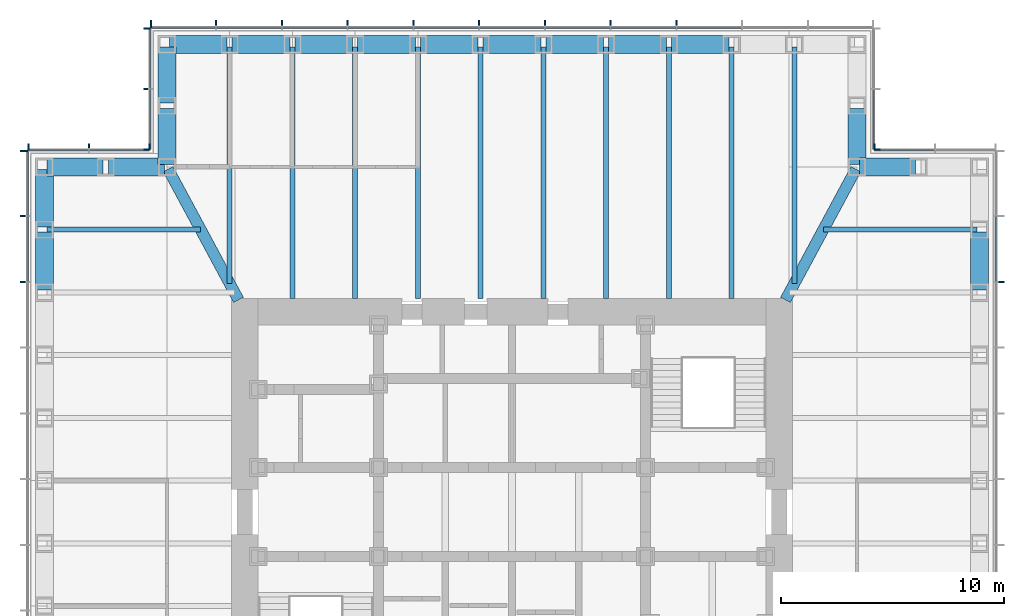
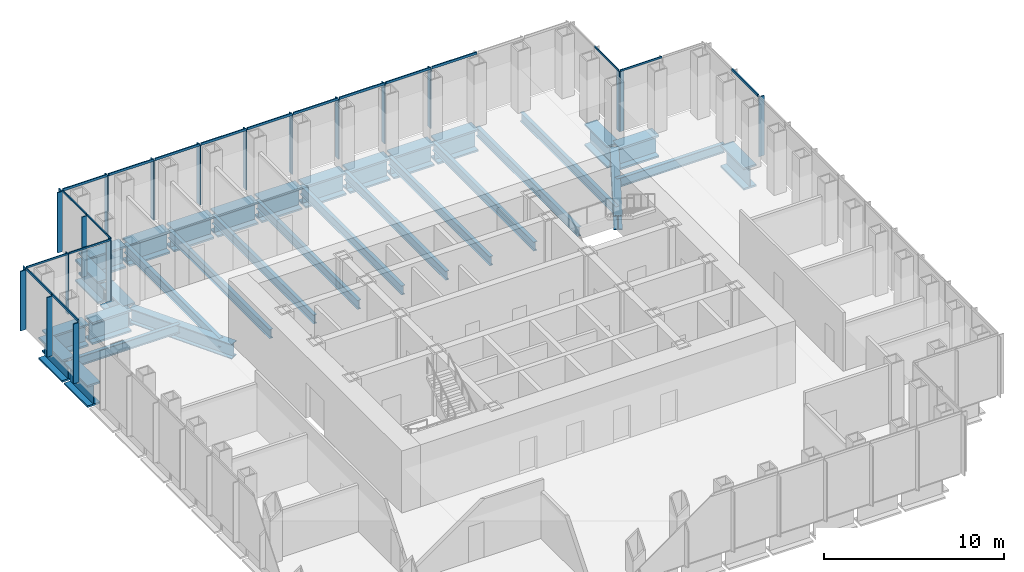
# One storey, part 5 of 16: 39 members, 32 beams, 7 elements without a shape of their own.
"""IFC4 building model written with IfcOpenShell, lengths in metres."""

from ifc_helpers import new_model, si_unit, direction, frame, origin, origin_2d, place, context, subcontext, project, spatial, rectangle, i_section, extrude, material, material_profile, profile_set, type_object, element, aggregate, save


model = new_model("IFC4")

# Units and contexts
model_context = context("Model", 3, precision=1e-05, world=origin(), true_north=direction((0.0, 1.0)))
body_context = subcontext(model_context, "Body", "Model", "MODEL_VIEW")
ifc_project = project(units=[si_unit("LENGTHUNIT", "METRE"), si_unit("AREAUNIT", "SQUARE_METRE"), si_unit("VOLUMEUNIT", "CUBIC_METRE"), si_unit("PLANEANGLEUNIT", "RADIAN"), si_unit("MASSUNIT", "GRAM", prefix="KILO")], contexts=[model_context])

# Site, building, storey
site_placement = place(None, origin())
site = spatial("IfcSite", under=ifc_project, at=site_placement, CompositionType="ELEMENT")
building_placement = place(site_placement, origin())
building = spatial("IfcBuilding", under=site, at=building_placement, Name="Daluyong Arena Tower", CompositionType="ELEMENT")
storey_placement = place(building_placement, frame((0.0, 0.0, 240.10009765625)))
storey = spatial("IfcBuildingStorey", under=building, at=storey_placement, Name="L54", CompositionType="ELEMENT", Elevation=240.10009765625)

# Curtain wall, member
ifc_material_1 = material(Name="Bronze anodised aluminium and glass", Category="aluminium")
curtain_wall_type_1 = type_object("IfcCurtainWallType", Name="Curtain wall CW3", PredefinedType="USERDEFINED", material=ifc_material_1)
curtain_wall_1_placement = place(storey_placement, origin())
curtain_wall_1 = element("IfcCurtainWall", 1, at=curtain_wall_1_placement, inside=storey, type_object=curtain_wall_type_1, Name="curtain wall L54 E", ObjectType="UNITISED CURTAIN WALL", PredefinedType="USERDEFINED")
ifc_material_2 = material(Name="Bronze anodised aluminium fin", Category="aluminium")
ifc_material_profile_1 = material_profile(ifc_material_2, rectangle(XDim=0.35009765625, YDim=0.070068359375, at=origin_2d()))
ifc_profile_set_1 = profile_set([ifc_material_profile_1], Name="Bronze anodised aluminium fin")
member_type_1 = type_object("IfcMemberType", Name="CW3 bronze fin 350x70", PredefinedType="MULLION", material=ifc_profile_set_1)
member_1_placement = place(storey_placement, frame((77.925048828125, 90.3408203125, 0.0), z_axis=(0.0, 0.0, 1.0), x_axis=(-1.0, 0.0, 0.0)))
member_1 = element("IfcMember", 2, at=member_1_placement, type_object=member_type_1, Name="curtain wall L54 E fin 10", PredefinedType="MULLION", context=body_context, shape_type="SweptSolid", body=[
    extrude(rectangle(XDim=0.35009765625, YDim=0.070068359375, at=origin_2d()), origin(), (0.0, 0.0, 1.0), 4.039794921875),
])

# Curtain wall, members
curtain_wall_2_placement = place(storey_placement, origin())
curtain_wall_2 = element("IfcCurtainWall", 3, at=curtain_wall_2_placement, inside=storey, type_object=curtain_wall_type_1, Name="curtain wall L54 N", ObjectType="UNITISED CURTAIN WALL", PredefinedType="USERDEFINED")
member_2_placement = place(storey_placement, frame((63.386474609375, 101.925048828125, 0.0), z_axis=(0.0, 0.0, 1.0), x_axis=(0.0, -1.0, 0.0)))
member_2 = element("IfcMember", 4, at=member_2_placement, type_object=member_type_1, Name="curtain wall L54 N fin 4", PredefinedType="MULLION", context=body_context, shape_type="SweptSolid", body=[
    extrude(rectangle(XDim=0.35009765625, YDim=0.070068359375, at=origin_2d()), origin(), (0.0, 0.0, 1.0), 4.039794921875),
])
member_3_placement = place(storey_placement, frame((60.431884765625, 101.925048828125, 0.0), z_axis=(0.0, 0.0, 1.0), x_axis=(0.0, -1.0, 0.0)))
member_3 = element("IfcMember", 5, at=member_3_placement, type_object=member_type_1, Name="curtain wall L54 N fin 5", PredefinedType="MULLION", context=body_context, shape_type="SweptSolid", body=[
    extrude(rectangle(XDim=0.35009765625, YDim=0.070068359375, at=origin_2d()), origin(), (0.0, 0.0, 1.0), 4.039794921875),
])
member_4_placement = place(storey_placement, frame((57.477294921875, 101.925048828125, 0.0), z_axis=(0.0, 0.0, 1.0), x_axis=(0.0, -1.0, 0.0)))
member_4 = element("IfcMember", 6, at=member_4_placement, type_object=member_type_1, Name="curtain wall L54 N fin 6", PredefinedType="MULLION", context=body_context, shape_type="SweptSolid", body=[
    extrude(rectangle(XDim=0.35009765625, YDim=0.070068359375, at=origin_2d()), origin(), (0.0, 0.0, 1.0), 4.039794921875),
])
member_5_placement = place(storey_placement, frame((54.522705078125, 101.925048828125, 0.0), z_axis=(0.0, 0.0, 1.0), x_axis=(0.0, -1.0, 0.0)))
member_5 = element("IfcMember", 7, at=member_5_placement, type_object=member_type_1, Name="curtain wall L54 N fin 7", PredefinedType="MULLION", context=body_context, shape_type="SweptSolid", body=[
    extrude(rectangle(XDim=0.35009765625, YDim=0.070068359375, at=origin_2d()), origin(), (0.0, 0.0, 1.0), 4.039794921875),
])
member_6_placement = place(storey_placement, frame((51.568115234375, 101.925048828125, 0.0), z_axis=(0.0, 0.0, 1.0), x_axis=(0.0, -1.0, 0.0)))
member_6 = element("IfcMember", 8, at=member_6_placement, type_object=member_type_1, Name="curtain wall L54 N fin 8", PredefinedType="MULLION", context=body_context, shape_type="SweptSolid", body=[
    extrude(rectangle(XDim=0.35009765625, YDim=0.070068359375, at=origin_2d()), origin(), (0.0, 0.0, 1.0), 4.039794921875),
])
member_7_placement = place(storey_placement, frame((48.613525390625, 101.925048828125, 0.0), z_axis=(0.0, 0.0, 1.0), x_axis=(0.0, -1.0, 0.0)))
member_7 = element("IfcMember", 9, at=member_7_placement, type_object=member_type_1, Name="curtain wall L54 N fin 9", PredefinedType="MULLION", context=body_context, shape_type="SweptSolid", body=[
    extrude(rectangle(XDim=0.35009765625, YDim=0.070068359375, at=origin_2d()), origin(), (0.0, 0.0, 1.0), 4.039794921875),
])
member_8_placement = place(storey_placement, frame((45.6591796875, 101.925048828125, 0.0), z_axis=(0.0, 0.0, 1.0), x_axis=(0.0, -1.0, 0.0)))
member_8 = element("IfcMember", 10, at=member_8_placement, type_object=member_type_1, Name="curtain wall L54 N fin 10", PredefinedType="MULLION", context=body_context, shape_type="SweptSolid", body=[
    extrude(rectangle(XDim=0.35009765625, YDim=0.070068359375, at=origin_2d()), origin(), (0.0, 0.0, 1.0), 4.039794921875),
])
member_9_placement = place(storey_placement, frame((42.70458984375, 101.925048828125, 0.0), z_axis=(0.0, 0.0, 1.0), x_axis=(0.0, -1.0, 0.0)))
member_9 = element("IfcMember", 11, at=member_9_placement, type_object=member_type_1, Name="curtain wall L54 N fin 11", PredefinedType="MULLION", context=body_context, shape_type="SweptSolid", body=[
    extrude(rectangle(XDim=0.35009765625, YDim=0.070068359375, at=origin_2d()), origin(), (0.0, 0.0, 1.0), 4.039794921875),
])
member_10_placement = place(storey_placement, frame((39.784912109375, 101.925048828125, 0.0), z_axis=(0.0, 0.0, 1.0), x_axis=(0.0, -1.0, 0.0)))
member_10 = element("IfcMember", 12, at=member_10_placement, type_object=member_type_1, Name="curtain wall L54 N fin 12", PredefinedType="MULLION", context=body_context, shape_type="SweptSolid", body=[
    extrude(rectangle(XDim=0.35009765625, YDim=0.070068359375, at=origin_2d()), origin(), (0.0, 0.0, 1.0), 4.039794921875),
])

curtain_wall_3_placement = place(storey_placement, origin())
curtain_wall_3 = element("IfcCurtainWall", 13, at=curtain_wall_3_placement, inside=storey, type_object=curtain_wall_type_1, Name="curtain wall L54 W", ObjectType="UNITISED CURTAIN WALL", PredefinedType="USERDEFINED")
member_11_placement = place(storey_placement, frame((34.074951171875, 96.215087890625, 0.0), z_axis=(0.0, 0.0, 1.0), x_axis=(1.0, 0.0, 0.0)))
member_11 = element("IfcMember", 14, at=member_11_placement, type_object=member_type_1, Name="curtain wall L54 W fin 1", PredefinedType="MULLION", context=body_context, shape_type="SweptSolid", body=[
    extrude(rectangle(XDim=0.35009765625, YDim=0.070068359375, at=origin_2d()), origin(), (0.0, 0.0, 1.0), 4.039794921875),
])
member_12_placement = place(storey_placement, frame((34.074951171875, 93.29541015625, 0.0), z_axis=(0.0, 0.0, 1.0), x_axis=(1.0, 0.0, 0.0)))
member_12 = element("IfcMember", 15, at=member_12_placement, type_object=member_type_1, Name="curtain wall L54 W fin 2", PredefinedType="MULLION", context=body_context, shape_type="SweptSolid", body=[
    extrude(rectangle(XDim=0.35009765625, YDim=0.070068359375, at=origin_2d()), origin(), (0.0, 0.0, 1.0), 4.039794921875),
])
member_13_placement = place(storey_placement, frame((34.074951171875, 90.3408203125, 0.0), z_axis=(0.0, 0.0, 1.0), x_axis=(1.0, 0.0, 0.0)))
member_13 = element("IfcMember", 16, at=member_13_placement, type_object=member_type_1, Name="curtain wall L54 W fin 3", PredefinedType="MULLION", context=body_context, shape_type="SweptSolid", body=[
    extrude(rectangle(XDim=0.35009765625, YDim=0.070068359375, at=origin_2d()), origin(), (0.0, 0.0, 1.0), 4.039794921875),
])

# Member
ifc_material_3 = material(Name="Bronze anodised aluminium", Category="aluminium")
ifc_material_profile_2 = material_profile(ifc_material_3, rectangle(XDim=0.070068359375, YDim=0.159912109375, at=origin_2d()))
ifc_profile_set_2 = profile_set([ifc_material_profile_2], Name="Bronze anodised aluminium")
member_type_2 = type_object("IfcMemberType", Name="CW3 stack transom 160x70", PredefinedType="USERDEFINED", material=ifc_profile_set_2)
member_14_placement = place(storey_placement, frame((77.75, 90.3759765625, 4.119873046875), z_axis=(0.0, 1.0, 0.0), x_axis=(-1.0, 0.0, 0.0)))
member_14 = element("IfcMember", 17, at=member_14_placement, type_object=member_type_2, Name="curtain wall L54 E transom 10", ObjectType="TRANSOM", PredefinedType="USERDEFINED", context=body_context, shape_type="SweptSolid", body=[
    extrude(rectangle(XDim=0.070068359375, YDim=0.159912109375, at=origin_2d()), origin(), (0.0, 0.0, 1.0), 2.884521484375),
])

aggregate(curtain_wall_1, [member_1, member_14])

member_15_placement = place(storey_placement, frame((66.305908203125, 101.75, 4.119873046875), z_axis=(-1.0, 0.0, 0.0), x_axis=(0.0, -1.0, 0.0)))
member_15 = element("IfcMember", 18, at=member_15_placement, type_object=member_type_2, Name="curtain wall L54 N transom 3", ObjectType="TRANSOM", PredefinedType="USERDEFINED", context=body_context, shape_type="SweptSolid", body=[
    extrude(rectangle(XDim=0.070068359375, YDim=0.159912109375, at=origin_2d()), origin(), (0.0, 0.0, 1.0), 2.884521484375),
])

member_16_placement = place(storey_placement, frame((63.351318359375, 101.75, 4.119873046875), z_axis=(-1.0, 0.0, 0.0), x_axis=(0.0, -1.0, 0.0)))
member_16 = element("IfcMember", 19, at=member_16_placement, type_object=member_type_2, Name="curtain wall L54 N transom 4", ObjectType="TRANSOM", PredefinedType="USERDEFINED", context=body_context, shape_type="SweptSolid", body=[
    extrude(rectangle(XDim=0.070068359375, YDim=0.159912109375, at=origin_2d()), origin(), (0.0, 0.0, 1.0), 2.884521484375),
])

member_17_placement = place(storey_placement, frame((60.396728515625, 101.75, 4.119873046875), z_axis=(-1.0, 0.0, 0.0), x_axis=(0.0, -1.0, 0.0)))
member_17 = element("IfcMember", 20, at=member_17_placement, type_object=member_type_2, Name="curtain wall L54 N transom 5", ObjectType="TRANSOM", PredefinedType="USERDEFINED", context=body_context, shape_type="SweptSolid", body=[
    extrude(rectangle(XDim=0.070068359375, YDim=0.159912109375, at=origin_2d()), origin(), (0.0, 0.0, 1.0), 2.884521484375),
])

member_18_placement = place(storey_placement, frame((57.4423828125, 101.75, 4.119873046875), z_axis=(-1.0, 0.0, 0.0), x_axis=(0.0, -1.0, 0.0)))
member_18 = element("IfcMember", 21, at=member_18_placement, type_object=member_type_2, Name="curtain wall L54 N transom 6", ObjectType="TRANSOM", PredefinedType="USERDEFINED", context=body_context, shape_type="SweptSolid", body=[
    extrude(rectangle(XDim=0.070068359375, YDim=0.159912109375, at=origin_2d()), origin(), (0.0, 0.0, 1.0), 2.884765625),
])

member_19_placement = place(storey_placement, frame((54.48779296875, 101.75, 4.119873046875), z_axis=(-1.0, 0.0, 0.0), x_axis=(0.0, -1.0, 0.0)))
member_19 = element("IfcMember", 22, at=member_19_placement, type_object=member_type_2, Name="curtain wall L54 N transom 7", ObjectType="TRANSOM", PredefinedType="USERDEFINED", context=body_context, shape_type="SweptSolid", body=[
    extrude(rectangle(XDim=0.070068359375, YDim=0.159912109375, at=origin_2d()), origin(), (0.0, 0.0, 1.0), 2.884521484375),
])

member_20_placement = place(storey_placement, frame((51.533203125, 101.75, 4.119873046875), z_axis=(-1.0, 0.0, 0.0), x_axis=(0.0, -1.0, 0.0)))
member_20 = element("IfcMember", 23, at=member_20_placement, type_object=member_type_2, Name="curtain wall L54 N transom 8", ObjectType="TRANSOM", PredefinedType="USERDEFINED", context=body_context, shape_type="SweptSolid", body=[
    extrude(rectangle(XDim=0.070068359375, YDim=0.159912109375, at=origin_2d()), origin(), (0.0, 0.0, 1.0), 2.884521484375),
])

member_21_placement = place(storey_placement, frame((48.57861328125, 101.75, 4.119873046875), z_axis=(-1.0, 0.0, 0.0), x_axis=(0.0, -1.0, 0.0)))
member_21 = element("IfcMember", 24, at=member_21_placement, type_object=member_type_2, Name="curtain wall L54 N transom 9", ObjectType="TRANSOM", PredefinedType="USERDEFINED", context=body_context, shape_type="SweptSolid", body=[
    extrude(rectangle(XDim=0.070068359375, YDim=0.159912109375, at=origin_2d()), origin(), (0.0, 0.0, 1.0), 2.884521484375),
])

member_22_placement = place(storey_placement, frame((45.6240234375, 101.75, 4.119873046875), z_axis=(-1.0, 0.0, 0.0), x_axis=(0.0, -1.0, 0.0)))
member_22 = element("IfcMember", 25, at=member_22_placement, type_object=member_type_2, Name="curtain wall L54 N transom 10", ObjectType="TRANSOM", PredefinedType="USERDEFINED", context=body_context, shape_type="SweptSolid", body=[
    extrude(rectangle(XDim=0.070068359375, YDim=0.159912109375, at=origin_2d()), origin(), (0.0, 0.0, 1.0), 2.884521484375),
])

member_23_placement = place(storey_placement, frame((42.66943359375, 101.75, 4.119873046875), z_axis=(-1.0, 0.0, 0.0), x_axis=(0.0, -1.0, 0.0)))
member_23 = element("IfcMember", 26, at=member_23_placement, type_object=member_type_2, Name="curtain wall L54 N transom 11", ObjectType="TRANSOM", PredefinedType="USERDEFINED", context=body_context, shape_type="SweptSolid", body=[
    extrude(rectangle(XDim=0.070068359375, YDim=0.159912109375, at=origin_2d()), origin(), (0.0, 0.0, 1.0), 2.849365234375),
])

aggregate(curtain_wall_2, [member_2, member_3, member_4, member_5, member_6, member_7, member_8, member_9, member_10, member_15, member_16, member_17, member_18, member_19, member_20, member_21, member_22, member_23])

member_24_placement = place(storey_placement, frame((34.25, 96.179931640625, 4.119873046875), z_axis=(0.0, -1.0, 0.0), x_axis=(1.0, 0.0, 0.0)))
member_24 = element("IfcMember", 27, at=member_24_placement, type_object=member_type_2, Name="curtain wall L54 W transom 1", ObjectType="TRANSOM", PredefinedType="USERDEFINED", context=body_context, shape_type="SweptSolid", body=[
    extrude(rectangle(XDim=0.070068359375, YDim=0.159912109375, at=origin_2d()), origin(), (0.0, 0.0, 1.0), 2.849365234375),
])

member_25_placement = place(storey_placement, frame((34.25, 93.260498046875, 4.119873046875), z_axis=(0.0, -1.0, 0.0), x_axis=(1.0, 0.0, 0.0)))
member_25 = element("IfcMember", 28, at=member_25_placement, type_object=member_type_2, Name="curtain wall L54 W transom 2", ObjectType="TRANSOM", PredefinedType="USERDEFINED", context=body_context, shape_type="SweptSolid", body=[
    extrude(rectangle(XDim=0.070068359375, YDim=0.159912109375, at=origin_2d()), origin(), (0.0, 0.0, 1.0), 2.884521484375),
])

aggregate(curtain_wall_3, [member_11, member_12, member_13, member_24, member_25])

# Curtain wall, member
ifc_material_4 = material(Name="Bronze anodised aluminium and glass", Category="aluminium")
curtain_wall_type_2 = type_object("IfcCurtainWallType", Name="Curtain wall CW7", PredefinedType="USERDEFINED", material=ifc_material_4)
curtain_wall_4_placement = place(storey_placement, origin())
curtain_wall_4 = element("IfcCurtainWall", 29, at=curtain_wall_4_placement, inside=storey, type_object=curtain_wall_type_2, Name="curtain wall L54 NE-N", ObjectType="UNITISED CURTAIN WALL", PredefinedType="USERDEFINED")
ifc_material_5 = material(Name="Bronze anodised aluminium fin", Category="aluminium")
ifc_material_profile_3 = material_profile(ifc_material_5, rectangle(XDim=0.300048828125, YDim=0.06005859375, at=origin_2d()))
ifc_profile_set_3 = profile_set([ifc_material_profile_3], Name="Bronze anodised aluminium fin")
member_type_3 = type_object("IfcMemberType", Name="CW7 bronze fin 300x60", PredefinedType="MULLION", material=ifc_profile_set_3)
member_26_placement = place(storey_placement, frame((72.280029296875, 96.39990234375, 0.0), z_axis=(0.0, 0.0, 1.0), x_axis=(0.0, -1.0, 0.0)))
member_26 = element("IfcMember", 30, at=member_26_placement, type_object=member_type_3, Name="curtain wall L54 NE-N fin 3", PredefinedType="MULLION", context=body_context, shape_type="SweptSolid", body=[
    extrude(rectangle(XDim=0.300048828125, YDim=0.06005859375, at=origin_2d()), origin(), (0.0, 0.0, 1.0), 4.079833984375),
])

curtain_wall_5_placement = place(storey_placement, origin())
curtain_wall_5 = element("IfcCurtainWall", 31, at=curtain_wall_5_placement, inside=storey, type_object=curtain_wall_type_2, Name="curtain wall L54 NE-E", ObjectType="UNITISED CURTAIN WALL", PredefinedType="USERDEFINED")
member_27_placement = place(storey_placement, frame((72.39990234375, 96.280029296875, 0.0), z_axis=(0.0, 0.0, 1.0), x_axis=(-1.0, 0.0, 0.0)))
member_27 = element("IfcMember", 32, at=member_27_placement, type_object=member_type_3, Name="curtain wall L54 NE-E fin 1", PredefinedType="MULLION", context=body_context, shape_type="SweptSolid", body=[
    extrude(rectangle(XDim=0.300048828125, YDim=0.06005859375, at=origin_2d()), origin(), (0.0, 0.0, 1.0), 4.079833984375),
])

# Curtain wall, members
curtain_wall_6_placement = place(storey_placement, origin())
curtain_wall_6 = element("IfcCurtainWall", 33, at=curtain_wall_6_placement, inside=storey, type_object=curtain_wall_type_2, Name="curtain wall L54 NW-W", ObjectType="UNITISED CURTAIN WALL", PredefinedType="USERDEFINED")
member_28_placement = place(storey_placement, frame((39.60009765625, 101.719970703125, 0.0), z_axis=(0.0, 0.0, 1.0), x_axis=(1.0, 0.0, 0.0)))
member_28 = element("IfcMember", 34, at=member_28_placement, type_object=member_type_3, Name="curtain wall L54 NW-W fin 1", PredefinedType="MULLION", context=body_context, shape_type="SweptSolid", body=[
    extrude(rectangle(XDim=0.300048828125, YDim=0.06005859375, at=origin_2d()), origin(), (0.0, 0.0, 1.0), 4.079833984375),
])
member_29_placement = place(storey_placement, frame((39.60009765625, 99.0, 0.0), z_axis=(0.0, 0.0, 1.0), x_axis=(1.0, 0.0, 0.0)))
member_29 = element("IfcMember", 35, at=member_29_placement, type_object=member_type_3, Name="curtain wall L54 NW-W fin 2", PredefinedType="MULLION", context=body_context, shape_type="SweptSolid", body=[
    extrude(rectangle(XDim=0.300048828125, YDim=0.06005859375, at=origin_2d()), origin(), (0.0, 0.0, 1.0), 4.079833984375),
])
member_30_placement = place(storey_placement, frame((39.60009765625, 96.280029296875, 0.0), z_axis=(0.0, 0.0, 1.0), x_axis=(1.0, 0.0, 0.0)))
member_30 = element("IfcMember", 36, at=member_30_placement, type_object=member_type_3, Name="curtain wall L54 NW-W fin 3", PredefinedType="MULLION", context=body_context, shape_type="SweptSolid", body=[
    extrude(rectangle(XDim=0.300048828125, YDim=0.06005859375, at=origin_2d()), origin(), (0.0, 0.0, 1.0), 4.079833984375),
])

curtain_wall_7_placement = place(storey_placement, origin())
curtain_wall_7 = element("IfcCurtainWall", 37, at=curtain_wall_7_placement, inside=storey, type_object=curtain_wall_type_2, Name="curtain wall L54 NW-N", ObjectType="UNITISED CURTAIN WALL", PredefinedType="USERDEFINED")
member_31_placement = place(storey_placement, frame((39.719970703125, 96.39990234375, 0.0), z_axis=(0.0, 0.0, 1.0), x_axis=(0.0, -1.0, 0.0)))
member_31 = element("IfcMember", 38, at=member_31_placement, type_object=member_type_3, Name="curtain wall L54 NW-N fin 1", PredefinedType="MULLION", context=body_context, shape_type="SweptSolid", body=[
    extrude(rectangle(XDim=0.300048828125, YDim=0.06005859375, at=origin_2d()), origin(), (0.0, 0.0, 1.0), 4.079833984375),
])
member_32_placement = place(storey_placement, frame((37.0, 96.39990234375, 0.0), z_axis=(0.0, 0.0, 1.0), x_axis=(0.0, -1.0, 0.0)))
member_32 = element("IfcMember", 39, at=member_32_placement, type_object=member_type_3, Name="curtain wall L54 NW-N fin 2", PredefinedType="MULLION", context=body_context, shape_type="SweptSolid", body=[
    extrude(rectangle(XDim=0.300048828125, YDim=0.06005859375, at=origin_2d()), origin(), (0.0, 0.0, 1.0), 4.079833984375),
])
member_33_placement = place(storey_placement, frame((34.280029296875, 96.39990234375, 0.0), z_axis=(0.0, 0.0, 1.0), x_axis=(0.0, -1.0, 0.0)))
member_33 = element("IfcMember", 40, at=member_33_placement, type_object=member_type_3, Name="curtain wall L54 NW-N fin 3", PredefinedType="MULLION", context=body_context, shape_type="SweptSolid", body=[
    extrude(rectangle(XDim=0.300048828125, YDim=0.06005859375, at=origin_2d()), origin(), (0.0, 0.0, 1.0), 4.079833984375),
])

# Member
ifc_material_6 = material(Name="Bronze anodised aluminium", Category="aluminium")
ifc_material_profile_4 = material_profile(ifc_material_6, rectangle(XDim=0.06005859375, YDim=0.1201171875, at=origin_2d()))
ifc_profile_set_4 = profile_set([ifc_material_profile_4], Name="Bronze anodised aluminium")
member_type_4 = type_object("IfcMemberType", Name="CW7 stack transom 120x60", PredefinedType="USERDEFINED", material=ifc_profile_set_4)
member_34_placement = place(storey_placement, frame((74.969970703125, 96.25, 4.139892578125), z_axis=(-1.0, 0.0, 0.0), x_axis=(0.0, -1.0, 0.0)))
member_34 = element("IfcMember", 41, at=member_34_placement, type_object=member_type_4, Name="curtain wall L54 NE-N transom 2", ObjectType="TRANSOM", PredefinedType="USERDEFINED", context=body_context, shape_type="SweptSolid", body=[
    extrude(rectangle(XDim=0.06005859375, YDim=0.1201171875, at=origin_2d()), origin(), (0.0, 0.0, 1.0), 2.659912109375),
])

aggregate(curtain_wall_4, [member_26, member_34])

member_35_placement = place(storey_placement, frame((72.25, 96.31005859375, 4.139892578125), z_axis=(0.0, 1.0, 0.0), x_axis=(-1.0, 0.0, 0.0)))
member_35 = element("IfcMember", 42, at=member_35_placement, type_object=member_type_4, Name="curtain wall L54 NE-E transom 1", ObjectType="TRANSOM", PredefinedType="USERDEFINED", context=body_context, shape_type="SweptSolid", body=[
    extrude(rectangle(XDim=0.06005859375, YDim=0.1201171875, at=origin_2d()), origin(), (0.0, 0.0, 1.0), 2.659912109375),
])

aggregate(curtain_wall_5, [member_27, member_35])

member_36_placement = place(storey_placement, frame((39.75, 101.68994140625, 4.139892578125), z_axis=(0.0, -1.0, 0.0), x_axis=(1.0, 0.0, 0.0)))
member_36 = element("IfcMember", 43, at=member_36_placement, type_object=member_type_4, Name="curtain wall L54 NW-W transom 1", ObjectType="TRANSOM", PredefinedType="USERDEFINED", context=body_context, shape_type="SweptSolid", body=[
    extrude(rectangle(XDim=0.06005859375, YDim=0.1201171875, at=origin_2d()), origin(), (0.0, 0.0, 1.0), 2.659912109375),
])

member_37_placement = place(storey_placement, frame((39.75, 98.969970703125, 4.139892578125), z_axis=(0.0, -1.0, 0.0), x_axis=(1.0, 0.0, 0.0)))
member_37 = element("IfcMember", 44, at=member_37_placement, type_object=member_type_4, Name="curtain wall L54 NW-W transom 2", ObjectType="TRANSOM", PredefinedType="USERDEFINED", context=body_context, shape_type="SweptSolid", body=[
    extrude(rectangle(XDim=0.06005859375, YDim=0.1201171875, at=origin_2d()), origin(), (0.0, 0.0, 1.0), 2.659912109375),
])

aggregate(curtain_wall_6, [member_28, member_29, member_30, member_36, member_37])

member_38_placement = place(storey_placement, frame((39.68994140625, 96.25, 4.139892578125), z_axis=(-1.0, 0.0, 0.0), x_axis=(0.0, -1.0, 0.0)))
member_38 = element("IfcMember", 45, at=member_38_placement, type_object=member_type_4, Name="curtain wall L54 NW-N transom 1", ObjectType="TRANSOM", PredefinedType="USERDEFINED", context=body_context, shape_type="SweptSolid", body=[
    extrude(rectangle(XDim=0.06005859375, YDim=0.1201171875, at=origin_2d()), origin(), (0.0, 0.0, 1.0), 2.659912109375),
])

member_39_placement = place(storey_placement, frame((36.969970703125, 96.25, 4.139892578125), z_axis=(-1.0, 0.0, 0.0), x_axis=(0.0, -1.0, 0.0)))
member_39 = element("IfcMember", 46, at=member_39_placement, type_object=member_type_4, Name="curtain wall L54 NW-N transom 2", ObjectType="TRANSOM", PredefinedType="USERDEFINED", context=body_context, shape_type="SweptSolid", body=[
    extrude(rectangle(XDim=0.06005859375, YDim=0.1201171875, at=origin_2d()), origin(), (0.0, 0.0, 1.0), 2.659912109375),
])

aggregate(curtain_wall_7, [member_31, member_32, member_33, member_38, member_39])

# Beams
ifc_material_7 = material(Name="Steel ASTM A572 Grade 50", Category="steel")
ifc_material_profile_5 = material_profile(ifc_material_7, i_section(OverallWidth=0.5, OverallDepth=1.0, WebThickness=0.03, FlangeThickness=0.06, at=origin_2d()))
ifc_profile_set_5 = profile_set([ifc_material_profile_5], Name="Steel ASTM A572 Grade 50")
beam_type_1 = type_object("IfcBeamType", Name="Corner girder TB1000X500", PredefinedType="BEAM", material=ifc_profile_set_5)
for number, where, z_axis, x_axis, name in (
    (47, (71.445556640625, 95.398681640625, -0.66015625), (-0.474119475266, -0.880460517669, 0.0), (0.880460517669, -0.474119475266, 0.0), "corner girder DG2"),
    (48, (40.554443359375, 95.398681640625, -0.66015625), (0.474119475266, -0.880460517669, 0.0), (0.880460517669, 0.474119475266, 0.0), "corner girder DG2"),
):
    element("IfcBeam", number, at=place(storey_placement, frame(where, z_axis=z_axis, x_axis=x_axis)), inside=storey, type_object=beam_type_1, Name=name, PredefinedType="BEAM", context=body_context, shape_type="SweptSolid", body=[
        extrude(i_section(OverallWidth=0.5, OverallDepth=1.0, WebThickness=0.03, FlangeThickness=0.06, at=origin_2d()), origin(), (0.0, 0.0, 1.0), 6.66748046875),
    ])
ifc_material_8 = material(Name="Steel ASTM A992 Grade 50", Category="steel")
ifc_material_profile_6 = material_profile(ifc_material_8, i_section(OverallWidth=0.22900390625, OverallDepth=0.612060546875, WebThickness=0.011962890625, FlangeThickness=0.01953125, at=origin_2d()))
ifc_profile_set_6 = profile_set([ifc_material_profile_6], Name="Steel ASTM A992 Grade 50")
beam_type_2 = type_object("IfcBeamType", Name="Floor beam W24X84", PredefinedType="BEAM", material=ifc_profile_set_6)
beam_1_placement = place(storey_placement, frame((76.885009765625, 92.681884765625, -0.466064453125), z_axis=(-1.0, 0.0, 0.0), x_axis=(0.0, -1.0, 0.0)))
element("IfcBeam", 49, at=beam_1_placement, inside=storey, type_object=beam_type_2, Name="floor beam FB3", PredefinedType="BEAM", context=body_context, shape_type="SweptSolid", body=[
    extrude(i_section(OverallWidth=0.22900390625, OverallDepth=0.612060546875, WebThickness=0.011962890625, FlangeThickness=0.01953125, at=origin_2d()), origin(), (0.0, 0.0, 1.0), 6.902587890625),
])
beam_2_placement = place(storey_placement, frame((68.681884765625, 100.885009765625, -0.466064453125), z_axis=(0.0, -1.0, 0.0), x_axis=(1.0, 0.0, 0.0)))
element("IfcBeam", 50, at=beam_2_placement, inside=storey, type_object=beam_type_2, Name="floor beam FB3", PredefinedType="BEAM", context=body_context, shape_type="SweptSolid", body=[
    extrude(i_section(OverallWidth=0.22900390625, OverallDepth=0.612060546875, WebThickness=0.011962890625, FlangeThickness=0.01953125, at=origin_2d()), origin(), (0.0, 0.0, 1.0), 10.618896484375),
])
for number, where, z_axis, x_axis, name in (
    (51, (65.863525390625, 100.885009765625, -0.466064453125), (0.0, -1.0, 0.0), (1.0, 0.0, 0.0), "floor beam FB3"),
    (52, (63.04541015625, 100.885009765625, -0.466064453125), (0.0, -1.0, 0.0), (1.0, 0.0, 0.0), "floor beam FB3"),
    (53, (60.227294921875, 100.885009765625, -0.466064453125), (0.0, -1.0, 0.0), (1.0, 0.0, 0.0), "floor beam FB3"),
    (54, (57.4091796875, 100.885009765625, -0.466064453125), (0.0, -1.0, 0.0), (1.0, 0.0, 0.0), "floor beam FB3"),
    (55, (54.5908203125, 100.885009765625, -0.466064453125), (0.0, -1.0, 0.0), (1.0, 0.0, 0.0), "floor beam FB3"),
    (56, (51.772705078125, 100.885009765625, -0.466064453125), (0.0, -1.0, 0.0), (1.0, 0.0, 0.0), "floor beam FB3"),
    (57, (48.95458984375, 100.885009765625, -0.466064453125), (0.0, -1.0, 0.0), (1.0, 0.0, 0.0), "floor beam FB3"),
    (58, (46.136474609375, 100.885009765625, -0.466064453125), (0.0, -1.0, 0.0), (1.0, 0.0, 0.0), "floor beam FB3"),
):
    element("IfcBeam", number, at=place(storey_placement, frame(where, z_axis=z_axis, x_axis=x_axis)), inside=storey, type_object=beam_type_2, Name=name, PredefinedType="BEAM", context=body_context, shape_type="SweptSolid", body=[
        extrude(i_section(OverallWidth=0.22900390625, OverallDepth=0.612060546875, WebThickness=0.011962890625, FlangeThickness=0.01953125, at=origin_2d()), origin(), (0.0, 0.0, 1.0), 11.284912109375),
    ])
beam_3_placement = place(storey_placement, frame((43.318115234375, 100.885009765625, -0.466064453125), z_axis=(0.0, -1.0, 0.0), x_axis=(1.0, 0.0, 0.0)))
element("IfcBeam", 59, at=beam_3_placement, inside=storey, type_object=beam_type_2, Name="floor beam FB3", PredefinedType="BEAM", context=body_context, shape_type="SweptSolid", body=[
    extrude(i_section(OverallWidth=0.22900390625, OverallDepth=0.612060546875, WebThickness=0.011962890625, FlangeThickness=0.01953125, at=origin_2d()), origin(), (0.0, 0.0, 1.0), 10.618896484375),
])
beam_4_placement = place(storey_placement, frame((35.114990234375, 92.681884765625, -0.466064453125), z_axis=(1.0, 0.0, 0.0), x_axis=(0.0, 1.0, 0.0)))
element("IfcBeam", 60, at=beam_4_placement, inside=storey, type_object=beam_type_2, Name="floor beam FB3", PredefinedType="BEAM", context=body_context, shape_type="SweptSolid", body=[
    extrude(i_section(OverallWidth=0.22900390625, OverallDepth=0.612060546875, WebThickness=0.011962890625, FlangeThickness=0.01953125, at=origin_2d()), origin(), (0.0, 0.0, 1.0), 6.902587890625),
])
ifc_material_9 = material(Name="Steel ASTM A588 Grade 50", Category="steel")
ifc_material_profile_7 = material_profile(ifc_material_9, i_section(OverallWidth=0.800048828125, OverallDepth=1.5, WebThickness=0.05, FlangeThickness=0.12, at=origin_2d()))
ifc_profile_set_7 = profile_set([ifc_material_profile_7], Name="Steel ASTM A588 Grade 50")
beam_type_3 = type_object("IfcBeamType", Name="Spandrel Z3 PG1500X800", PredefinedType="SPANDREL", material=ifc_profile_set_7)
beam_5_placement = place(storey_placement, frame((77.0, 89.978515625, -0.91015625), z_axis=(0.0, 1.0, 0.0), x_axis=(-1.0, 0.0, 0.0)))
element("IfcBeam", 61, at=beam_5_placement, inside=storey, type_object=beam_type_3, Name="spandrel z3 SB7", PredefinedType="SPANDREL", context=body_context, shape_type="SweptSolid", body=[
    extrude(i_section(OverallWidth=0.800048828125, OverallDepth=1.5, WebThickness=0.05, FlangeThickness=0.12, at=origin_2d()), origin(), (0.0, 0.0, 1.0), 2.58837890625),
])
for number, where, z_axis, x_axis, name in (
    (62, (74.135009765625, 95.5, -0.91015625), (-1.0, 0.0, 0.0), (0.0, -1.0, 0.0), "spandrel z3 SB7"),
    (63, (71.5, 95.614990234375, -0.91015625), (0.0, 1.0, 0.0), (-1.0, 0.0, 0.0), "spandrel z3 SB7"),
):
    element("IfcBeam", number, at=place(storey_placement, frame(where, z_axis=z_axis, x_axis=x_axis)), inside=storey, type_object=beam_type_3, Name=name, PredefinedType="SPANDREL", context=body_context, shape_type="SweptSolid", body=[
        extrude(i_section(OverallWidth=0.800048828125, OverallDepth=1.5, WebThickness=0.05, FlangeThickness=0.12, at=origin_2d()), origin(), (0.0, 0.0, 1.0), 2.52001953125),
    ])
for number, where, z_axis, x_axis, name in (
    (64, (65.74853515625, 101.0, -0.91015625), (-1.0, 0.0, 0.0), (0.0, -1.0, 0.0), "spandrel z3 SB7"),
    (65, (62.930419921875, 101.0, -0.91015625), (-1.0, 0.0, 0.0), (0.0, -1.0, 0.0), "spandrel z3 SB7"),
    (66, (60.1123046875, 101.0, -0.91015625), (-1.0, 0.0, 0.0), (0.0, -1.0, 0.0), "spandrel z3 SB7"),
):
    element("IfcBeam", number, at=place(storey_placement, frame(where, z_axis=z_axis, x_axis=x_axis)), inside=storey, type_object=beam_type_3, Name=name, PredefinedType="SPANDREL", context=body_context, shape_type="SweptSolid", body=[
        extrude(i_section(OverallWidth=0.800048828125, OverallDepth=1.5, WebThickness=0.05, FlangeThickness=0.12, at=origin_2d()), origin(), (0.0, 0.0, 1.0), 2.588134765625),
    ])
beam_6_placement = place(storey_placement, frame((57.294189453125, 101.0, -0.91015625), z_axis=(-1.0, 0.0, 0.0), x_axis=(0.0, -1.0, 0.0)))
element("IfcBeam", 67, at=beam_6_placement, inside=storey, type_object=beam_type_3, Name="spandrel z3 SB7", PredefinedType="SPANDREL", context=body_context, shape_type="SweptSolid", body=[
    extrude(i_section(OverallWidth=0.800048828125, OverallDepth=1.5, WebThickness=0.05, FlangeThickness=0.12, at=origin_2d()), origin(), (0.0, 0.0, 1.0), 2.58837890625),
])
for number, where, z_axis, x_axis, name in (
    (68, (54.475830078125, 101.0, -0.91015625), (-1.0, 0.0, 0.0), (0.0, -1.0, 0.0), "spandrel z3 SB7"),
    (69, (51.65771484375, 101.0, -0.91015625), (-1.0, 0.0, 0.0), (0.0, -1.0, 0.0), "spandrel z3 SB7"),
    (70, (48.839599609375, 101.0, -0.91015625), (-1.0, 0.0, 0.0), (0.0, -1.0, 0.0), "spandrel z3 SB7"),
):
    element("IfcBeam", number, at=place(storey_placement, frame(where, z_axis=z_axis, x_axis=x_axis)), inside=storey, type_object=beam_type_3, Name=name, PredefinedType="SPANDREL", context=body_context, shape_type="SweptSolid", body=[
        extrude(i_section(OverallWidth=0.800048828125, OverallDepth=1.5, WebThickness=0.05, FlangeThickness=0.12, at=origin_2d()), origin(), (0.0, 0.0, 1.0), 2.588134765625),
    ])
beam_7_placement = place(storey_placement, frame((46.021484375, 101.0, -0.91015625), z_axis=(-1.0, 0.0, 0.0), x_axis=(0.0, -1.0, 0.0)))
element("IfcBeam", 71, at=beam_7_placement, inside=storey, type_object=beam_type_3, Name="spandrel z3 SB7", PredefinedType="SPANDREL", context=body_context, shape_type="SweptSolid", body=[
    extrude(i_section(OverallWidth=0.800048828125, OverallDepth=1.5, WebThickness=0.05, FlangeThickness=0.12, at=origin_2d()), origin(), (0.0, 0.0, 1.0), 2.58837890625),
])
beam_8_placement = place(storey_placement, frame((43.203125, 101.0, -0.91015625), z_axis=(-1.0, 0.0, 0.0), x_axis=(0.0, -1.0, 0.0)))
element("IfcBeam", 72, at=beam_8_placement, inside=storey, type_object=beam_type_3, Name="spandrel z3 SB7", PredefinedType="SPANDREL", context=body_context, shape_type="SweptSolid", body=[
    extrude(i_section(OverallWidth=0.800048828125, OverallDepth=1.5, WebThickness=0.05, FlangeThickness=0.12, at=origin_2d()), origin(), (0.0, 0.0, 1.0), 2.588134765625),
])
for number, where, z_axis, x_axis, name in (
    (73, (40.5, 100.885009765625, -0.91015625), (0.0, -1.0, 0.0), (1.0, 0.0, 0.0), "spandrel z3 SB7"),
    (74, (40.5, 98.135009765625, -0.91015625), (0.0, -1.0, 0.0), (1.0, 0.0, 0.0), "spandrel z3 SB7"),
    (75, (40.385009765625, 95.5, -0.91015625), (-1.0, 0.0, 0.0), (0.0, -1.0, 0.0), "spandrel z3 SB7"),
    (76, (37.635009765625, 95.5, -0.91015625), (-1.0, 0.0, 0.0), (0.0, -1.0, 0.0), "spandrel z3 SB7"),
):
    element("IfcBeam", number, at=place(storey_placement, frame(where, z_axis=z_axis, x_axis=x_axis)), inside=storey, type_object=beam_type_3, Name=name, PredefinedType="SPANDREL", context=body_context, shape_type="SweptSolid", body=[
        extrude(i_section(OverallWidth=0.800048828125, OverallDepth=1.5, WebThickness=0.05, FlangeThickness=0.12, at=origin_2d()), origin(), (0.0, 0.0, 1.0), 2.52001953125),
    ])
beam_9_placement = place(storey_placement, frame((35.0, 95.385009765625, -0.91015625), z_axis=(0.0, -1.0, 0.0), x_axis=(1.0, 0.0, 0.0)))
element("IfcBeam", 77, at=beam_9_placement, inside=storey, type_object=beam_type_3, Name="spandrel z3 SB7", PredefinedType="SPANDREL", context=body_context, shape_type="SweptSolid", body=[
    extrude(i_section(OverallWidth=0.800048828125, OverallDepth=1.5, WebThickness=0.05, FlangeThickness=0.12, at=origin_2d()), origin(), (0.0, 0.0, 1.0), 2.588134765625),
])
beam_10_placement = place(storey_placement, frame((35.0, 92.56689453125, -0.91015625), z_axis=(0.0, -1.0, 0.0), x_axis=(1.0, 0.0, 0.0)))
element("IfcBeam", 78, at=beam_10_placement, inside=storey, type_object=beam_type_3, Name="spandrel z3 SB7", PredefinedType="SPANDREL", context=body_context, shape_type="SweptSolid", body=[
    extrude(i_section(OverallWidth=0.800048828125, OverallDepth=1.5, WebThickness=0.05, FlangeThickness=0.12, at=origin_2d()), origin(), (0.0, 0.0, 1.0), 2.58837890625),
])

save(model, "model.ifc")
